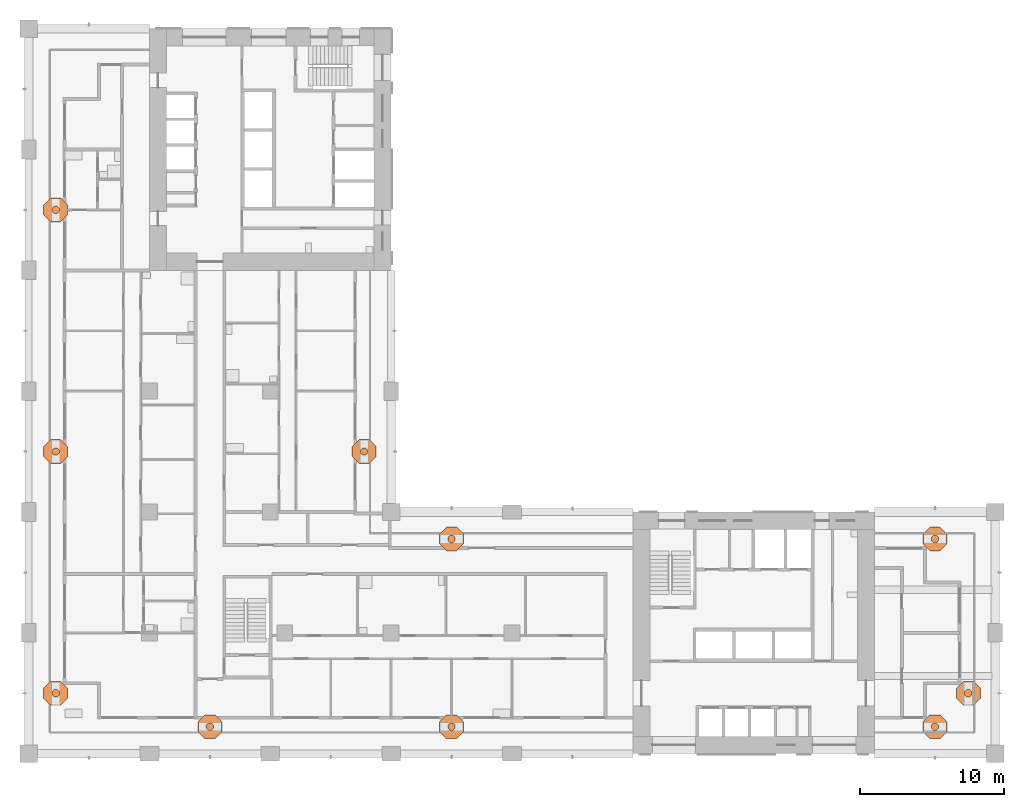
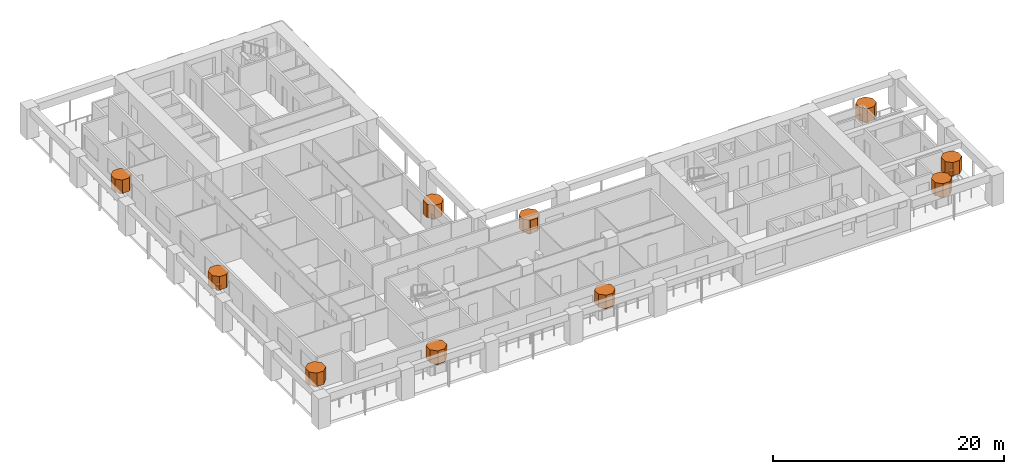
# One storey, part 18 of 18: 20 geographic elements.
"""IFC4 building model written with IfcOpenShell, lengths in metres."""

from ifc_helpers import new_model, si_unit, direction, frame, origin, place, context, subcontext, project, spatial, polyline, outline, extrude, material, element, save


model = new_model("IFC4")

# Units and contexts
model_context = context("Model", 3, precision=1e-05, world=origin(), true_north=direction((0.0, 1.0)))
body_context = subcontext(model_context, "Body", "Model", "MODEL_VIEW")
ifc_project = project(units=[si_unit("LENGTHUNIT", "METRE"), si_unit("AREAUNIT", "SQUARE_METRE"), si_unit("VOLUMEUNIT", "CUBIC_METRE"), si_unit("PLANEANGLEUNIT", "RADIAN"), si_unit("MASSUNIT", "GRAM", prefix="KILO")], contexts=[model_context])

# Site, building, storey
site_placement = place(None, origin())
site = spatial("IfcSite", under=ifc_project, at=site_placement, CompositionType="ELEMENT")
building_placement = place(site_placement, origin())
building = spatial("IfcBuilding", under=site, at=building_placement, Name="Vermilion Gate Residences", CompositionType="ELEMENT")
storey_placement = place(building_placement, frame((0.0, 0.0, 109.199951171875)))
storey = spatial("IfcBuildingStorey", under=building, at=storey_placement, Name="L27", CompositionType="ELEMENT", Elevation=109.199951171875)

# Geographic elements
ifc_material = material(Name="Foliage")
geographic_element_1_placement = place(storey_placement, frame((0.0, 0.0, 0.900146484375)))
element("IfcGeographicElement", 1, at=geographic_element_1_placement, inside=storey, material=ifc_material, Name="Tree (black pine)", ObjectType="TREE", PredefinedType="USERDEFINED", context=body_context, shape_type="SweptSolid", body=[
    extrude(outline(polyline([(12.85400390625, 10.380126953125), (12.705078125, 10.529052734375), (12.494873046875, 10.529052734375), (12.345947265625, 10.380126953125), (12.345947265625, 10.169921875), (12.494873046875, 10.02099609375), (12.705078125, 10.02099609375), (12.85400390625, 10.169921875), (12.85400390625, 10.380126953125)])), origin(), (0.0, 0.0, 1.0), 0.52001953125),
])
geographic_element_2_placement = place(storey_placement, frame((0.0, 0.0, 1.420166015625)))
element("IfcGeographicElement", 2, at=geographic_element_2_placement, inside=storey, material=ifc_material, Name="Tree crown (black pine)", ObjectType="TREE", PredefinedType="USERDEFINED", context=body_context, shape_type="SweptSolid", body=[
    extrude(outline(polyline([(13.431396484375, 10.619384765625), (12.9443359375, 11.1064453125), (12.255615234375, 11.1064453125), (11.7685546875, 10.619384765625), (11.7685546875, 9.9306640625), (12.255615234375, 9.443603515625), (12.9443359375, 9.443603515625), (13.431396484375, 9.9306640625), (13.431396484375, 10.619384765625)])), origin(), (0.0, 0.0, 1.0), 1.39990234375),
])
geographic_element_3_placement = place(storey_placement, frame((0.0, 0.0, 0.900146484375)))
element("IfcGeographicElement", 3, at=geographic_element_3_placement, inside=storey, material=ifc_material, Name="Tree (maple)", ObjectType="TREE", PredefinedType="USERDEFINED", context=body_context, shape_type="SweptSolid", body=[
    extrude(outline(polyline([(29.654052734375, 10.380126953125), (29.505126953125, 10.529052734375), (29.294921875, 10.529052734375), (29.14599609375, 10.380126953125), (29.14599609375, 10.169921875), (29.294921875, 10.02099609375), (29.505126953125, 10.02099609375), (29.654052734375, 10.169921875), (29.654052734375, 10.380126953125)])), origin(), (0.0, 0.0, 1.0), 0.52001953125),
])
geographic_element_4_placement = place(storey_placement, frame((0.0, 0.0, 1.420166015625)))
element("IfcGeographicElement", 4, at=geographic_element_4_placement, inside=storey, material=ifc_material, Name="Tree crown (maple)", ObjectType="TREE", PredefinedType="USERDEFINED", context=body_context, shape_type="SweptSolid", body=[
    extrude(outline(polyline([(30.2314453125, 10.619384765625), (29.744384765625, 11.1064453125), (29.0556640625, 11.1064453125), (28.568603515625, 10.619384765625), (28.568603515625, 9.9306640625), (29.0556640625, 9.443603515625), (29.744384765625, 9.443603515625), (30.2314453125, 9.9306640625), (30.2314453125, 10.619384765625)])), origin(), (0.0, 0.0, 1.0), 1.39990234375),
])
geographic_element_5_placement = place(storey_placement, frame((0.0, 0.0, 0.900146484375)))
element("IfcGeographicElement", 5, at=geographic_element_5_placement, inside=storey, material=ifc_material, Name="Tree (maple)", ObjectType="TREE", PredefinedType="USERDEFINED", context=body_context, shape_type="SweptSolid", body=[
    extrude(outline(polyline([(63.254150390625, 10.380126953125), (63.105224609375, 10.529052734375), (62.894775390625, 10.529052734375), (62.745849609375, 10.380126953125), (62.745849609375, 10.169921875), (62.894775390625, 10.02099609375), (63.105224609375, 10.02099609375), (63.254150390625, 10.169921875), (63.254150390625, 10.380126953125)])), origin(), (0.0, 0.0, 1.0), 0.52001953125),
])
geographic_element_6_placement = place(storey_placement, frame((0.0, 0.0, 1.420166015625)))
element("IfcGeographicElement", 6, at=geographic_element_6_placement, inside=storey, material=ifc_material, Name="Tree crown (maple)", ObjectType="TREE", PredefinedType="USERDEFINED", context=body_context, shape_type="SweptSolid", body=[
    extrude(outline(polyline([(63.83154296875, 10.619384765625), (63.344482421875, 11.1064453125), (62.655517578125, 11.1064453125), (62.16845703125, 10.619384765625), (62.16845703125, 9.9306640625), (62.655517578125, 9.443603515625), (63.344482421875, 9.443603515625), (63.83154296875, 9.9306640625), (63.83154296875, 10.619384765625)])), origin(), (0.0, 0.0, 1.0), 1.39990234375),
])
geographic_element_7_placement = place(storey_placement, frame((0.0, 0.0, 0.900146484375)))
element("IfcGeographicElement", 7, at=geographic_element_7_placement, inside=storey, material=ifc_material, Name="Tree (black pine)", ObjectType="TREE", PredefinedType="USERDEFINED", context=body_context, shape_type="SweptSolid", body=[
    extrude(outline(polyline([(65.5791015625, 12.705078125), (65.43017578125, 12.85400390625), (65.2197265625, 12.85400390625), (65.07080078125, 12.705078125), (65.07080078125, 12.494873046875), (65.2197265625, 12.345947265625), (65.43017578125, 12.345947265625), (65.5791015625, 12.494873046875), (65.5791015625, 12.705078125)])), origin(), (0.0, 0.0, 1.0), 0.52001953125),
])
geographic_element_8_placement = place(storey_placement, frame((0.0, 0.0, 1.420166015625)))
element("IfcGeographicElement", 8, at=geographic_element_8_placement, inside=storey, material=ifc_material, Name="Tree crown (black pine)", ObjectType="TREE", PredefinedType="USERDEFINED", context=body_context, shape_type="SweptSolid", body=[
    extrude(outline(polyline([(66.156494140625, 12.9443359375), (65.66943359375, 13.431396484375), (64.980712890625, 13.431396484375), (64.493408203125, 12.9443359375), (64.493408203125, 12.255615234375), (64.980712890625, 11.7685546875), (65.66943359375, 11.7685546875), (66.156494140625, 12.255615234375), (66.156494140625, 12.9443359375)])), origin(), (0.0, 0.0, 1.0), 1.39990234375),
])
geographic_element_9_placement = place(storey_placement, frame((0.0, 0.0, 0.900146484375)))
element("IfcGeographicElement", 9, at=geographic_element_9_placement, inside=storey, material=ifc_material, Name="Tree (maple)", ObjectType="TREE", PredefinedType="USERDEFINED", context=body_context, shape_type="SweptSolid", body=[
    extrude(outline(polyline([(29.654052734375, 23.43017578125), (29.505126953125, 23.5791015625), (29.294921875, 23.5791015625), (29.14599609375, 23.43017578125), (29.14599609375, 23.2197265625), (29.294921875, 23.07080078125), (29.505126953125, 23.07080078125), (29.654052734375, 23.2197265625), (29.654052734375, 23.43017578125)])), origin(), (0.0, 0.0, 1.0), 0.52001953125),
])
geographic_element_10_placement = place(storey_placement, frame((0.0, 0.0, 1.420166015625)))
element("IfcGeographicElement", 10, at=geographic_element_10_placement, inside=storey, material=ifc_material, Name="Tree crown (maple)", ObjectType="TREE", PredefinedType="USERDEFINED", context=body_context, shape_type="SweptSolid", body=[
    extrude(outline(polyline([(30.2314453125, 23.66943359375), (29.744384765625, 24.156494140625), (29.0556640625, 24.156494140625), (28.568603515625, 23.66943359375), (28.568603515625, 22.980712890625), (29.0556640625, 22.493408203125), (29.744384765625, 22.493408203125), (30.2314453125, 22.980712890625), (30.2314453125, 23.66943359375)])), origin(), (0.0, 0.0, 1.0), 1.39990234375),
])
geographic_element_11_placement = place(storey_placement, frame((0.0, 0.0, 0.900146484375)))
element("IfcGeographicElement", 11, at=geographic_element_11_placement, inside=storey, material=ifc_material, Name="Tree (maple)", ObjectType="TREE", PredefinedType="USERDEFINED", context=body_context, shape_type="SweptSolid", body=[
    extrude(outline(polyline([(63.254150390625, 23.43017578125), (63.105224609375, 23.5791015625), (62.894775390625, 23.5791015625), (62.745849609375, 23.43017578125), (62.745849609375, 23.2197265625), (62.894775390625, 23.07080078125), (63.105224609375, 23.07080078125), (63.254150390625, 23.2197265625), (63.254150390625, 23.43017578125)])), origin(), (0.0, 0.0, 1.0), 0.52001953125),
])
geographic_element_12_placement = place(storey_placement, frame((0.0, 0.0, 1.420166015625)))
element("IfcGeographicElement", 12, at=geographic_element_12_placement, inside=storey, material=ifc_material, Name="Tree crown (maple)", ObjectType="TREE", PredefinedType="USERDEFINED", context=body_context, shape_type="SweptSolid", body=[
    extrude(outline(polyline([(63.83154296875, 23.66943359375), (63.344482421875, 24.156494140625), (62.655517578125, 24.156494140625), (62.16845703125, 23.66943359375), (62.16845703125, 22.980712890625), (62.655517578125, 22.493408203125), (63.344482421875, 22.493408203125), (63.83154296875, 22.980712890625), (63.83154296875, 23.66943359375)])), origin(), (0.0, 0.0, 1.0), 1.39990234375),
])
geographic_element_13_placement = place(storey_placement, frame((0.0, 0.0, 0.900146484375)))
element("IfcGeographicElement", 13, at=geographic_element_13_placement, inside=storey, material=ifc_material, Name="Tree (maple)", ObjectType="TREE", PredefinedType="USERDEFINED", context=body_context, shape_type="SweptSolid", body=[
    extrude(outline(polyline([(23.5791015625, 29.505126953125), (23.43017578125, 29.654052734375), (23.2197265625, 29.654052734375), (23.07080078125, 29.505126953125), (23.07080078125, 29.294921875), (23.2197265625, 29.14599609375), (23.43017578125, 29.14599609375), (23.5791015625, 29.294921875), (23.5791015625, 29.505126953125)])), origin(), (0.0, 0.0, 1.0), 0.52001953125),
])
geographic_element_14_placement = place(storey_placement, frame((0.0, 0.0, 1.420166015625)))
element("IfcGeographicElement", 14, at=geographic_element_14_placement, inside=storey, material=ifc_material, Name="Tree crown (maple)", ObjectType="TREE", PredefinedType="USERDEFINED", context=body_context, shape_type="SweptSolid", body=[
    extrude(outline(polyline([(24.156494140625, 29.744384765625), (23.66943359375, 30.2314453125), (22.980712890625, 30.2314453125), (22.493408203125, 29.744384765625), (22.493408203125, 29.0556640625), (22.980712890625, 28.568603515625), (23.66943359375, 28.568603515625), (24.156494140625, 29.0556640625), (24.156494140625, 29.744384765625)])), origin(), (0.0, 0.0, 1.0), 1.39990234375),
])
geographic_element_15_placement = place(storey_placement, frame((0.0, 0.0, 0.900146484375)))
element("IfcGeographicElement", 15, at=geographic_element_15_placement, inside=storey, material=ifc_material, Name="Tree (black pine)", ObjectType="TREE", PredefinedType="USERDEFINED", context=body_context, shape_type="SweptSolid", body=[
    extrude(outline(polyline([(2.129150390625, 12.705078125), (1.980224609375, 12.85400390625), (1.769775390625, 12.85400390625), (1.620849609375, 12.705078125), (1.620849609375, 12.494873046875), (1.769775390625, 12.345947265625), (1.980224609375, 12.345947265625), (2.129150390625, 12.494873046875), (2.129150390625, 12.705078125)])), origin(), (0.0, 0.0, 1.0), 0.52001953125),
])
geographic_element_16_placement = place(storey_placement, frame((0.0, 0.0, 1.420166015625)))
element("IfcGeographicElement", 16, at=geographic_element_16_placement, inside=storey, material=ifc_material, Name="Tree crown (black pine)", ObjectType="TREE", PredefinedType="USERDEFINED", context=body_context, shape_type="SweptSolid", body=[
    extrude(outline(polyline([(2.70654296875, 12.9443359375), (2.219482421875, 13.431396484375), (1.530517578125, 13.431396484375), (1.04345703125, 12.9443359375), (1.04345703125, 12.255615234375), (1.530517578125, 11.7685546875), (2.219482421875, 11.7685546875), (2.70654296875, 12.255615234375), (2.70654296875, 12.9443359375)])), origin(), (0.0, 0.0, 1.0), 1.39990234375),
])
geographic_element_17_placement = place(storey_placement, frame((0.0, 0.0, 0.900146484375)))
element("IfcGeographicElement", 17, at=geographic_element_17_placement, inside=storey, material=ifc_material, Name="Tree (maple)", ObjectType="TREE", PredefinedType="USERDEFINED", context=body_context, shape_type="SweptSolid", body=[
    extrude(outline(polyline([(2.129150390625, 29.505126953125), (1.980224609375, 29.654052734375), (1.769775390625, 29.654052734375), (1.620849609375, 29.505126953125), (1.620849609375, 29.294921875), (1.769775390625, 29.14599609375), (1.980224609375, 29.14599609375), (2.129150390625, 29.294921875), (2.129150390625, 29.505126953125)])), origin(), (0.0, 0.0, 1.0), 0.52001953125),
])
geographic_element_18_placement = place(storey_placement, frame((0.0, 0.0, 1.420166015625)))
element("IfcGeographicElement", 18, at=geographic_element_18_placement, inside=storey, material=ifc_material, Name="Tree crown (maple)", ObjectType="TREE", PredefinedType="USERDEFINED", context=body_context, shape_type="SweptSolid", body=[
    extrude(outline(polyline([(2.70654296875, 29.744384765625), (2.219482421875, 30.2314453125), (1.530517578125, 30.2314453125), (1.04345703125, 29.744384765625), (1.04345703125, 29.0556640625), (1.530517578125, 28.568603515625), (2.219482421875, 28.568603515625), (2.70654296875, 29.0556640625), (2.70654296875, 29.744384765625)])), origin(), (0.0, 0.0, 1.0), 1.39990234375),
])
geographic_element_19_placement = place(storey_placement, frame((0.0, 0.0, 0.900146484375)))
element("IfcGeographicElement", 19, at=geographic_element_19_placement, inside=storey, material=ifc_material, Name="Tree (black pine)", ObjectType="TREE", PredefinedType="USERDEFINED", context=body_context, shape_type="SweptSolid", body=[
    extrude(outline(polyline([(2.129150390625, 46.30517578125), (1.980224609375, 46.4541015625), (1.769775390625, 46.4541015625), (1.620849609375, 46.30517578125), (1.620849609375, 46.0947265625), (1.769775390625, 45.94580078125), (1.980224609375, 45.94580078125), (2.129150390625, 46.0947265625), (2.129150390625, 46.30517578125)])), origin(), (0.0, 0.0, 1.0), 0.52001953125),
])
geographic_element_20_placement = place(storey_placement, frame((0.0, 0.0, 1.420166015625)))
element("IfcGeographicElement", 20, at=geographic_element_20_placement, inside=storey, material=ifc_material, Name="Tree crown (black pine)", ObjectType="TREE", PredefinedType="USERDEFINED", context=body_context, shape_type="SweptSolid", body=[
    extrude(outline(polyline([(2.70654296875, 46.54443359375), (2.219482421875, 47.031494140625), (1.530517578125, 47.031494140625), (1.04345703125, 46.54443359375), (1.04345703125, 45.855712890625), (1.530517578125, 45.368408203125), (2.219482421875, 45.368408203125), (2.70654296875, 45.855712890625), (2.70654296875, 46.54443359375)])), origin(), (0.0, 0.0, 1.0), 1.39990234375),
])

save(model, "model.ifc")
